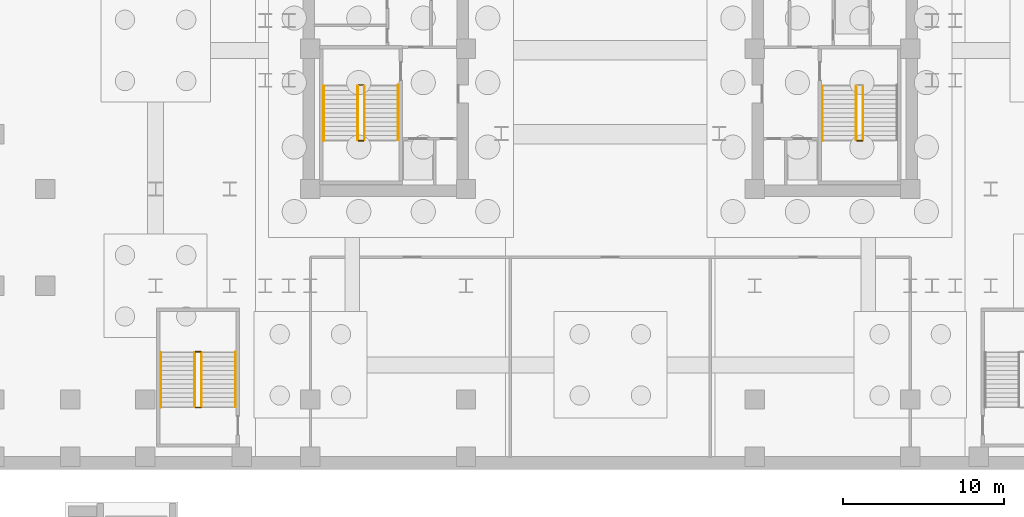
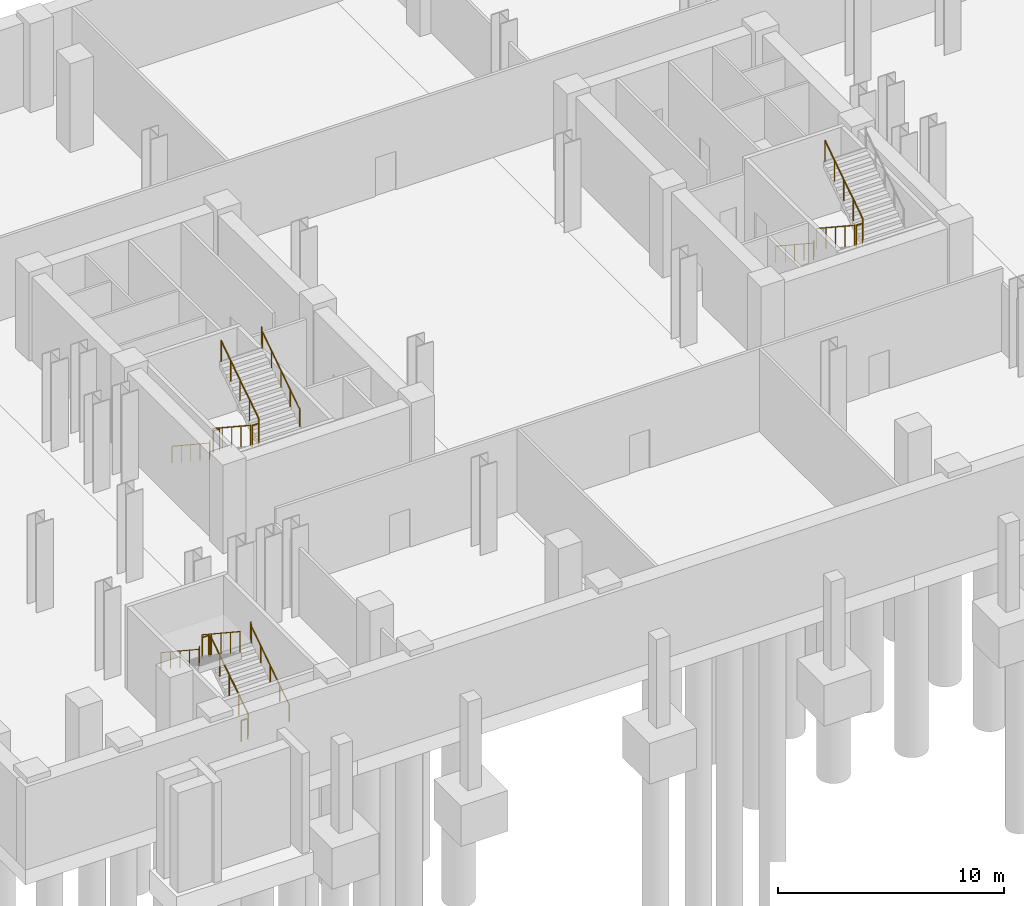
# One storey, part 8 of 10: 16 railings.
"""IFC4 building model written with IfcOpenShell, lengths in metres."""

from ifc_helpers import new_model, si_unit, direction, frame, origin, origin_2d, place, context, subcontext, project, spatial, circle, extrude, material, type_object, element, save


model = new_model("IFC4")

# Units and contexts
model_context = context("Model", 3, precision=1e-05, world=origin(), true_north=direction((0.0, 1.0)))
body_context = subcontext(model_context, "Body", "Model", "MODEL_VIEW")
ifc_project = project(units=[si_unit("LENGTHUNIT", "METRE"), si_unit("AREAUNIT", "SQUARE_METRE"), si_unit("VOLUMEUNIT", "CUBIC_METRE"), si_unit("PLANEANGLEUNIT", "RADIAN"), si_unit("MASSUNIT", "GRAM", prefix="KILO")], contexts=[model_context])

# Site, building, storey
site_placement = place(None, origin())
site = spatial("IfcSite", under=ifc_project, at=site_placement, CompositionType="ELEMENT")
building_placement = place(site_placement, origin())
building = spatial("IfcBuilding", under=site, at=building_placement, Name="Velakula Bourse", CompositionType="ELEMENT")
storey_placement = place(building_placement, frame((0.0, 0.0, -9.60009765625)))
storey = spatial("IfcBuildingStorey", under=building, at=storey_placement, Name="B02", CompositionType="ELEMENT", Elevation=-9.60009765625)

# Railings
ifc_material = material(Name="Brushed grade 316 stainless steel", Category="steel")
railing_type_1 = type_object("IfcRailingType", Name="RLG-STAIR-GUARD-1150", PredefinedType="BALUSTRADE", material=ifc_material)
railing_1_placement = place(storey_placement, frame((-15.672119140625, -2.199951171875, 0.184814453125)))
element("IfcRailing", 1, at=railing_1_placement, inside=storey, type_object=railing_type_1, Name="B02 ST-W1 stair guard 1", PredefinedType="BALUSTRADE", context=body_context, shape_type="SweptSolid", body=[
    extrude(circle(Radius=0.02490234375, at=origin_2d()), frame((0.0, 0.0, 1.125), z_axis=(0.0, -0.834876476806, 0.550437342915), x_axis=(1.0, 0.0, 0.0)), (0.0, 0.0, 1.0), 4.024658203125),
    extrude(circle(Radius=0.02099609375, at=origin_2d()), origin(), (0.0, 0.0, 1.0), 1.099853515625),
    extrude(circle(Radius=0.02099609375, at=origin_2d()), frame((0.0, -0.840087890625, 0.5537109375)), (0.0, 0.0, 1.0), 1.099853515625),
    extrude(circle(Radius=0.02099609375, at=origin_2d()), frame((0.0, -1.68017578125, 1.107666015625)), (0.0, 0.0, 1.0), 1.099853515625),
    extrude(circle(Radius=0.02099609375, at=origin_2d()), frame((0.0, -2.52001953125, 1.66162109375)), (0.0, 0.0, 1.0), 1.099853515625),
    extrude(circle(Radius=0.02099609375, at=origin_2d()), frame((0.0, -3.360107421875, 2.21533203125)), (0.0, 0.0, 1.0), 1.099853515625),
])
railing_2_placement = place(storey_placement, frame((-15.6220703125, -5.610107421875, 2.400146484375)))
element("IfcRailing", 2, at=railing_2_placement, inside=storey, type_object=railing_type_1, Name="B02 ST-W1 stair guard 2", PredefinedType="BALUSTRADE", context=body_context, shape_type="SweptSolid", body=[
    extrude(circle(Radius=0.02490234375, at=origin_2d()), frame((0.0, 0.0, 1.125), z_axis=(1.0, 0.0, 0.0), x_axis=(0.0, 1.0, 0.0)), (0.0, 0.0, 1.0), 0.323974609375),
    extrude(circle(Radius=0.02099609375, at=origin_2d()), origin(), (0.0, 0.0, 1.0), 1.099853515625),
    extrude(circle(Radius=0.02099609375, at=origin_2d()), frame((0.323974609375, 0.0, 0.0)), (0.0, 0.0, 1.0), 1.099853515625),
])
railing_3_placement = place(storey_placement, frame((-15.248046875, -5.56005859375, 2.584716796875)))
element("IfcRailing", 3, at=railing_3_placement, inside=storey, type_object=railing_type_1, Name="B02 ST-W1 stair guard 3", PredefinedType="BALUSTRADE", context=body_context, shape_type="SweptSolid", body=[
    extrude(circle(Radius=0.02490234375, at=origin_2d()), frame((0.0, 0.0, 1.125), z_axis=(0.0, 0.834876476806, 0.550437342915), x_axis=(-1.0, 0.0, 0.0)), (0.0, 0.0, 1.0), 4.024658203125),
    extrude(circle(Radius=0.02099609375, at=origin_2d()), origin(), (0.0, 0.0, 1.0), 1.099853515625),
    extrude(circle(Radius=0.02099609375, at=origin_2d()), frame((0.0, 0.840087890625, 0.5537109375)), (0.0, 0.0, 1.0), 1.099853515625),
    extrude(circle(Radius=0.02099609375, at=origin_2d()), frame((0.0, 1.68017578125, 1.107666015625)), (0.0, 0.0, 1.0), 1.099853515625),
    extrude(circle(Radius=0.02099609375, at=origin_2d()), frame((0.0, 2.52001953125, 1.66162109375)), (0.0, 0.0, 1.0), 1.099853515625),
    extrude(circle(Radius=0.02099609375, at=origin_2d()), frame((0.0, 3.360107421875, 2.21533203125)), (0.0, 0.0, 1.0), 1.099853515625),
])
railing_4_placement = place(storey_placement, frame((-15.6220703125, -2.14990234375, 0.0)))
element("IfcRailing", 4, at=railing_4_placement, inside=storey, type_object=railing_type_1, Name="B02 ST-W1 stair guard 4", PredefinedType="BALUSTRADE", context=body_context, shape_type="SweptSolid", body=[
    extrude(circle(Radius=0.02490234375, at=origin_2d()), frame((0.0, 0.0, 1.125), z_axis=(1.0, 0.0, 0.0), x_axis=(0.0, 1.0, 0.0)), (0.0, 0.0, 1.0), 0.323974609375),
    extrude(circle(Radius=0.02099609375, at=origin_2d()), origin(), (0.0, 0.0, 1.0), 1.099853515625),
    extrude(circle(Radius=0.02099609375, at=origin_2d()), frame((0.323974609375, 0.0, 0.0)), (0.0, 0.0, 1.0), 1.099853515625),
])
railing_5_placement = place(storey_placement, frame((15.248046875, -2.199951171875, 0.184814453125)))
element("IfcRailing", 5, at=railing_5_placement, inside=storey, type_object=railing_type_1, Name="B02 ST-E1 stair guard 1", PredefinedType="BALUSTRADE", context=body_context, shape_type="SweptSolid", body=[
    extrude(circle(Radius=0.02490234375, at=origin_2d()), frame((0.0, 0.0, 1.125), z_axis=(0.0, -0.834876476806, 0.550437342915), x_axis=(1.0, 0.0, 0.0)), (0.0, 0.0, 1.0), 4.024658203125),
    extrude(circle(Radius=0.02099609375, at=origin_2d()), origin(), (0.0, 0.0, 1.0), 1.099853515625),
    extrude(circle(Radius=0.02099609375, at=origin_2d()), frame((0.0, -0.840087890625, 0.5537109375)), (0.0, 0.0, 1.0), 1.099853515625),
    extrude(circle(Radius=0.02099609375, at=origin_2d()), frame((0.0, -1.68017578125, 1.107666015625)), (0.0, 0.0, 1.0), 1.099853515625),
    extrude(circle(Radius=0.02099609375, at=origin_2d()), frame((0.0, -2.52001953125, 1.66162109375)), (0.0, 0.0, 1.0), 1.099853515625),
    extrude(circle(Radius=0.02099609375, at=origin_2d()), frame((0.0, -3.360107421875, 2.21533203125)), (0.0, 0.0, 1.0), 1.099853515625),
])
railing_6_placement = place(storey_placement, frame((15.298095703125, -5.610107421875, 2.400146484375)))
element("IfcRailing", 6, at=railing_6_placement, inside=storey, type_object=railing_type_1, Name="B02 ST-E1 stair guard 2", PredefinedType="BALUSTRADE", context=body_context, shape_type="SweptSolid", body=[
    extrude(circle(Radius=0.02490234375, at=origin_2d()), frame((0.0, 0.0, 1.125), z_axis=(1.0, 0.0, 0.0), x_axis=(0.0, 1.0, 0.0)), (0.0, 0.0, 1.0), 0.323974609375),
    extrude(circle(Radius=0.02099609375, at=origin_2d()), origin(), (0.0, 0.0, 1.0), 1.099853515625),
    extrude(circle(Radius=0.02099609375, at=origin_2d()), frame((0.323974609375, 0.0, 0.0)), (0.0, 0.0, 1.0), 1.099853515625),
])
for number, where, name in (
    (7, (15.672119140625, -5.56005859375, 2.584716796875), "B02 ST-E1 stair guard 3"),
    (8, (-25.347900390625, -22.10009765625, 0.184814453125), "B02 ST-P1 stair guard 1"),
):
    element("IfcRailing", number, at=place(storey_placement, frame(where)), inside=storey, type_object=railing_type_1, Name=name, PredefinedType="BALUSTRADE", context=body_context, shape_type="SweptSolid", body=[
        extrude(circle(Radius=0.02490234375, at=origin_2d()), frame((0.0, 0.0, 1.125), z_axis=(0.0, 0.834876476806, 0.550437342915), x_axis=(-1.0, 0.0, 0.0)), (0.0, 0.0, 1.0), 4.024658203125),
        extrude(circle(Radius=0.02099609375, at=origin_2d()), origin(), (0.0, 0.0, 1.0), 1.099853515625),
        extrude(circle(Radius=0.02099609375, at=origin_2d()), frame((0.0, 0.840087890625, 0.5537109375)), (0.0, 0.0, 1.0), 1.099853515625),
        extrude(circle(Radius=0.02099609375, at=origin_2d()), frame((0.0, 1.68017578125, 1.107666015625)), (0.0, 0.0, 1.0), 1.099853515625),
        extrude(circle(Radius=0.02099609375, at=origin_2d()), frame((0.0, 2.52001953125, 1.66162109375)), (0.0, 0.0, 1.0), 1.099853515625),
        extrude(circle(Radius=0.02099609375, at=origin_2d()), frame((0.0, 3.360107421875, 2.21533203125)), (0.0, 0.0, 1.0), 1.099853515625),
    ])
railing_7_placement = place(storey_placement, frame((-25.39794921875, -18.68994140625, 2.400146484375)))
element("IfcRailing", 9, at=railing_7_placement, inside=storey, type_object=railing_type_1, Name="B02 ST-P1 stair guard 2", PredefinedType="BALUSTRADE", context=body_context, shape_type="SweptSolid", body=[
    extrude(circle(Radius=0.02490234375, at=origin_2d()), frame((0.0, 0.0, 1.125), z_axis=(-1.0, 0.0, 0.0), x_axis=(0.0, -1.0, 0.0)), (0.0, 0.0, 1.0), 0.323974609375),
    extrude(circle(Radius=0.02099609375, at=origin_2d()), origin(), (0.0, 0.0, 1.0), 1.099853515625),
    extrude(circle(Radius=0.02099609375, at=origin_2d()), frame((-0.323974609375, 0.0, 0.0)), (0.0, 0.0, 1.0), 1.099853515625),
])
railing_8_placement = place(storey_placement, frame((-25.77197265625, -18.739990234375, 2.584716796875)))
element("IfcRailing", 10, at=railing_8_placement, inside=storey, type_object=railing_type_1, Name="B02 ST-P1 stair guard 3", PredefinedType="BALUSTRADE", context=body_context, shape_type="SweptSolid", body=[
    extrude(circle(Radius=0.02490234375, at=origin_2d()), frame((0.0, 0.0, 1.125), z_axis=(0.0, -0.834876476806, 0.550437342915), x_axis=(1.0, 0.0, 0.0)), (0.0, 0.0, 1.0), 4.024658203125),
    extrude(circle(Radius=0.02099609375, at=origin_2d()), origin(), (0.0, 0.0, 1.0), 1.099853515625),
    extrude(circle(Radius=0.02099609375, at=origin_2d()), frame((0.0, -0.840087890625, 0.5537109375)), (0.0, 0.0, 1.0), 1.099853515625),
    extrude(circle(Radius=0.02099609375, at=origin_2d()), frame((0.0, -1.68017578125, 1.107666015625)), (0.0, 0.0, 1.0), 1.099853515625),
    extrude(circle(Radius=0.02099609375, at=origin_2d()), frame((0.0, -2.52001953125, 1.66162109375)), (0.0, 0.0, 1.0), 1.099853515625),
    extrude(circle(Radius=0.02099609375, at=origin_2d()), frame((0.0, -3.360107421875, 2.21533203125)), (0.0, 0.0, 1.0), 1.099853515625),
])
railing_9_placement = place(storey_placement, frame((-25.39794921875, -22.14990234375, 0.0)))
element("IfcRailing", 11, at=railing_9_placement, inside=storey, type_object=railing_type_1, Name="B02 ST-P1 stair guard 4", PredefinedType="BALUSTRADE", context=body_context, shape_type="SweptSolid", body=[
    extrude(circle(Radius=0.02490234375, at=origin_2d()), frame((0.0, 0.0, 1.125), z_axis=(-1.0, 0.0, 0.0), x_axis=(0.0, -1.0, 0.0)), (0.0, 0.0, 1.0), 0.323974609375),
    extrude(circle(Radius=0.02099609375, at=origin_2d()), origin(), (0.0, 0.0, 1.0), 1.099853515625),
    extrude(circle(Radius=0.02099609375, at=origin_2d()), frame((-0.323974609375, 0.0, 0.0)), (0.0, 0.0, 1.0), 1.099853515625),
])
railing_type_2 = type_object("IfcRailingType", Name="RLG-STAIR-HAND-920", PredefinedType="HANDRAIL", material=ifc_material)
railing_10_placement = place(storey_placement, frame((-17.77001953125, -2.199951171875, 0.184814453125)))
element("IfcRailing", 12, at=railing_10_placement, inside=storey, type_object=railing_type_2, Name="B02 ST-W1 stair handrail 1", PredefinedType="HANDRAIL", context=body_context, shape_type="SweptSolid", body=[
    extrude(circle(Radius=0.02099609375, at=origin_2d()), frame((0.0, 0.0, 0.89892578125), z_axis=(0.0, -0.834876476806, 0.550437342915), x_axis=(1.0, 0.0, 0.0)), (0.0, 0.0, 1.0), 4.024658203125),
    extrude(circle(Radius=0.02099609375, at=origin_2d()), frame((0.0, -3.360107421875, 3.1142578125), z_axis=(0.0, -0.212000284517, 0.977269604237), x_axis=(1.0, 0.0, 0.0)), (0.0, 0.0, 1.0), 0.18896484375),
    extrude(circle(Radius=0.02099609375, at=origin_2d()), frame((0.0, -3.400146484375, 3.298828125), z_axis=(0.0, -1.0, 0.0), x_axis=(1.0, 0.0, 0.0)), (0.0, 0.0, 1.0), 0.0048828125),
    extrude(circle(Radius=0.02099609375, at=origin_2d()), origin(), (0.0, 0.0, 1.0), 0.8779296875),
    extrude(circle(Radius=0.02099609375, at=origin_2d()), frame((0.0, -0.840087890625, 0.5537109375)), (0.0, 0.0, 1.0), 0.8779296875),
    extrude(circle(Radius=0.02099609375, at=origin_2d()), frame((0.0, -1.68017578125, 1.107666015625)), (0.0, 0.0, 1.0), 0.8779296875),
    extrude(circle(Radius=0.02099609375, at=origin_2d()), frame((0.0, -2.52001953125, 1.66162109375)), (0.0, 0.0, 1.0), 0.8779296875),
    extrude(circle(Radius=0.02099609375, at=origin_2d()), frame((0.0, -3.360107421875, 2.21533203125)), (0.0, 0.0, 1.0), 0.8779296875),
    extrude(circle(Radius=0.02099609375, at=origin_2d()), frame((0.0, -3.400146484375, 2.39990234375)), (0.0, 0.0, 1.0), 0.8779296875),
    extrude(circle(Radius=0.02099609375, at=origin_2d()), frame((0.0, -3.405029296875, 2.39990234375)), (0.0, 0.0, 1.0), 0.8779296875),
])
railing_11_placement = place(storey_placement, frame((-13.14990234375, -5.56005859375, 2.584716796875)))
element("IfcRailing", 13, at=railing_11_placement, inside=storey, type_object=railing_type_2, Name="B02 ST-W1 stair handrail 2", PredefinedType="HANDRAIL", context=body_context, shape_type="SweptSolid", body=[
    extrude(circle(Radius=0.02099609375, at=origin_2d()), frame((0.0, 0.0, 0.89892578125), z_axis=(0.0, 0.834876476806, 0.550437342915), x_axis=(-1.0, 0.0, 0.0)), (0.0, 0.0, 1.0), 4.024658203125),
    extrude(circle(Radius=0.02099609375, at=origin_2d()), frame((0.0, 3.360107421875, 3.1142578125), z_axis=(0.0, 0.212000284517, 0.977269604237), x_axis=(-1.0, 0.0, 0.0)), (0.0, 0.0, 1.0), 0.18896484375),
    extrude(circle(Radius=0.02099609375, at=origin_2d()), frame((0.0, 3.400146484375, 3.298828125), z_axis=(0.0, 1.0, 0.0), x_axis=(-1.0, 0.0, 0.0)), (0.0, 0.0, 1.0), 0.0048828125),
    extrude(circle(Radius=0.02099609375, at=origin_2d()), origin(), (0.0, 0.0, 1.0), 0.8779296875),
    extrude(circle(Radius=0.02099609375, at=origin_2d()), frame((0.0, 0.840087890625, 0.5537109375)), (0.0, 0.0, 1.0), 0.8779296875),
    extrude(circle(Radius=0.02099609375, at=origin_2d()), frame((0.0, 1.68017578125, 1.107666015625)), (0.0, 0.0, 1.0), 0.8779296875),
    extrude(circle(Radius=0.02099609375, at=origin_2d()), frame((0.0, 2.52001953125, 1.66162109375)), (0.0, 0.0, 1.0), 0.8779296875),
    extrude(circle(Radius=0.02099609375, at=origin_2d()), frame((0.0, 3.360107421875, 2.21533203125)), (0.0, 0.0, 1.0), 0.8779296875),
    extrude(circle(Radius=0.02099609375, at=origin_2d()), frame((0.0, 3.400146484375, 2.39990234375)), (0.0, 0.0, 1.0), 0.8779296875),
    extrude(circle(Radius=0.02099609375, at=origin_2d()), frame((0.0, 3.405029296875, 2.39990234375)), (0.0, 0.0, 1.0), 0.8779296875),
])
railing_12_placement = place(storey_placement, frame((13.14990234375, -2.199951171875, 0.184814453125)))
element("IfcRailing", 14, at=railing_12_placement, inside=storey, type_object=railing_type_2, Name="B02 ST-E1 stair handrail 1", PredefinedType="HANDRAIL", context=body_context, shape_type="SweptSolid", body=[
    extrude(circle(Radius=0.02099609375, at=origin_2d()), frame((0.0, 0.0, 0.89892578125), z_axis=(0.0, -0.834876476806, 0.550437342915), x_axis=(1.0, 0.0, 0.0)), (0.0, 0.0, 1.0), 4.024658203125),
    extrude(circle(Radius=0.02099609375, at=origin_2d()), frame((0.0, -3.360107421875, 3.1142578125), z_axis=(0.0, -0.212000284517, 0.977269604237), x_axis=(1.0, 0.0, 0.0)), (0.0, 0.0, 1.0), 0.18896484375),
    extrude(circle(Radius=0.02099609375, at=origin_2d()), frame((0.0, -3.400146484375, 3.298828125), z_axis=(0.0, -1.0, 0.0), x_axis=(1.0, 0.0, 0.0)), (0.0, 0.0, 1.0), 0.0048828125),
    extrude(circle(Radius=0.02099609375, at=origin_2d()), origin(), (0.0, 0.0, 1.0), 0.8779296875),
    extrude(circle(Radius=0.02099609375, at=origin_2d()), frame((0.0, -0.840087890625, 0.5537109375)), (0.0, 0.0, 1.0), 0.8779296875),
    extrude(circle(Radius=0.02099609375, at=origin_2d()), frame((0.0, -1.68017578125, 1.107666015625)), (0.0, 0.0, 1.0), 0.8779296875),
    extrude(circle(Radius=0.02099609375, at=origin_2d()), frame((0.0, -2.52001953125, 1.66162109375)), (0.0, 0.0, 1.0), 0.8779296875),
    extrude(circle(Radius=0.02099609375, at=origin_2d()), frame((0.0, -3.360107421875, 2.21533203125)), (0.0, 0.0, 1.0), 0.8779296875),
    extrude(circle(Radius=0.02099609375, at=origin_2d()), frame((0.0, -3.400146484375, 2.39990234375)), (0.0, 0.0, 1.0), 0.8779296875),
    extrude(circle(Radius=0.02099609375, at=origin_2d()), frame((0.0, -3.405029296875, 2.39990234375)), (0.0, 0.0, 1.0), 0.8779296875),
])
railing_13_placement = place(storey_placement, frame((-23.25, -22.10009765625, 0.184814453125)))
element("IfcRailing", 15, at=railing_13_placement, inside=storey, type_object=railing_type_2, Name="B02 ST-P1 stair handrail 1", PredefinedType="HANDRAIL", context=body_context, shape_type="SweptSolid", body=[
    extrude(circle(Radius=0.02099609375, at=origin_2d()), frame((0.0, 0.0, 0.89892578125), z_axis=(0.0, 0.834876476806, 0.550437342915), x_axis=(-1.0, 0.0, 0.0)), (0.0, 0.0, 1.0), 4.024658203125),
    extrude(circle(Radius=0.02099609375, at=origin_2d()), frame((0.0, 3.360107421875, 3.1142578125), z_axis=(0.0, 0.212000284517, 0.977269604237), x_axis=(-1.0, 0.0, 0.0)), (0.0, 0.0, 1.0), 0.18896484375),
    extrude(circle(Radius=0.02099609375, at=origin_2d()), frame((0.0, 3.400146484375, 3.298828125), z_axis=(0.0, 1.0, 0.0), x_axis=(-1.0, 0.0, 0.0)), (0.0, 0.0, 1.0), 0.0048828125),
    extrude(circle(Radius=0.02099609375, at=origin_2d()), origin(), (0.0, 0.0, 1.0), 0.8779296875),
    extrude(circle(Radius=0.02099609375, at=origin_2d()), frame((0.0, 0.840087890625, 0.5537109375)), (0.0, 0.0, 1.0), 0.8779296875),
    extrude(circle(Radius=0.02099609375, at=origin_2d()), frame((0.0, 1.68017578125, 1.107666015625)), (0.0, 0.0, 1.0), 0.8779296875),
    extrude(circle(Radius=0.02099609375, at=origin_2d()), frame((0.0, 2.52001953125, 1.66162109375)), (0.0, 0.0, 1.0), 0.8779296875),
    extrude(circle(Radius=0.02099609375, at=origin_2d()), frame((0.0, 3.360107421875, 2.21533203125)), (0.0, 0.0, 1.0), 0.8779296875),
    extrude(circle(Radius=0.02099609375, at=origin_2d()), frame((0.0, 3.400146484375, 2.39990234375)), (0.0, 0.0, 1.0), 0.8779296875),
    extrude(circle(Radius=0.02099609375, at=origin_2d()), frame((0.0, 3.405029296875, 2.39990234375)), (0.0, 0.0, 1.0), 0.8779296875),
])
railing_14_placement = place(storey_placement, frame((-27.8701171875, -18.739990234375, 2.584716796875)))
element("IfcRailing", 16, at=railing_14_placement, inside=storey, type_object=railing_type_2, Name="B02 ST-P1 stair handrail 2", PredefinedType="HANDRAIL", context=body_context, shape_type="SweptSolid", body=[
    extrude(circle(Radius=0.02099609375, at=origin_2d()), frame((0.0, 0.0, 0.89892578125), z_axis=(0.0, -0.834876476806, 0.550437342915), x_axis=(1.0, 0.0, 0.0)), (0.0, 0.0, 1.0), 4.024658203125),
    extrude(circle(Radius=0.02099609375, at=origin_2d()), frame((0.0, -3.360107421875, 3.1142578125), z_axis=(0.0, -0.210765191725, 0.977536717447), x_axis=(1.0, 0.0, 0.0)), (0.0, 0.0, 1.0), 0.188720703125),
    extrude(circle(Radius=0.02099609375, at=origin_2d()), frame((0.0, -3.39990234375, 3.298828125), z_axis=(0.0, -1.0, 0.0), x_axis=(1.0, 0.0, 0.0)), (0.0, 0.0, 1.0), 0.005126953125),
    extrude(circle(Radius=0.02099609375, at=origin_2d()), origin(), (0.0, 0.0, 1.0), 0.8779296875),
    extrude(circle(Radius=0.02099609375, at=origin_2d()), frame((0.0, -0.840087890625, 0.5537109375)), (0.0, 0.0, 1.0), 0.8779296875),
    extrude(circle(Radius=0.02099609375, at=origin_2d()), frame((0.0, -1.68017578125, 1.107666015625)), (0.0, 0.0, 1.0), 0.8779296875),
    extrude(circle(Radius=0.02099609375, at=origin_2d()), frame((0.0, -2.52001953125, 1.66162109375)), (0.0, 0.0, 1.0), 0.8779296875),
    extrude(circle(Radius=0.02099609375, at=origin_2d()), frame((0.0, -3.360107421875, 2.21533203125)), (0.0, 0.0, 1.0), 0.8779296875),
    extrude(circle(Radius=0.02099609375, at=origin_2d()), frame((0.0, -3.39990234375, 2.39990234375)), (0.0, 0.0, 1.0), 0.8779296875),
    extrude(circle(Radius=0.02099609375, at=origin_2d()), frame((0.0, -3.405029296875, 2.39990234375)), (0.0, 0.0, 1.0), 0.8779296875),
])

save(model, "model.ifc")
